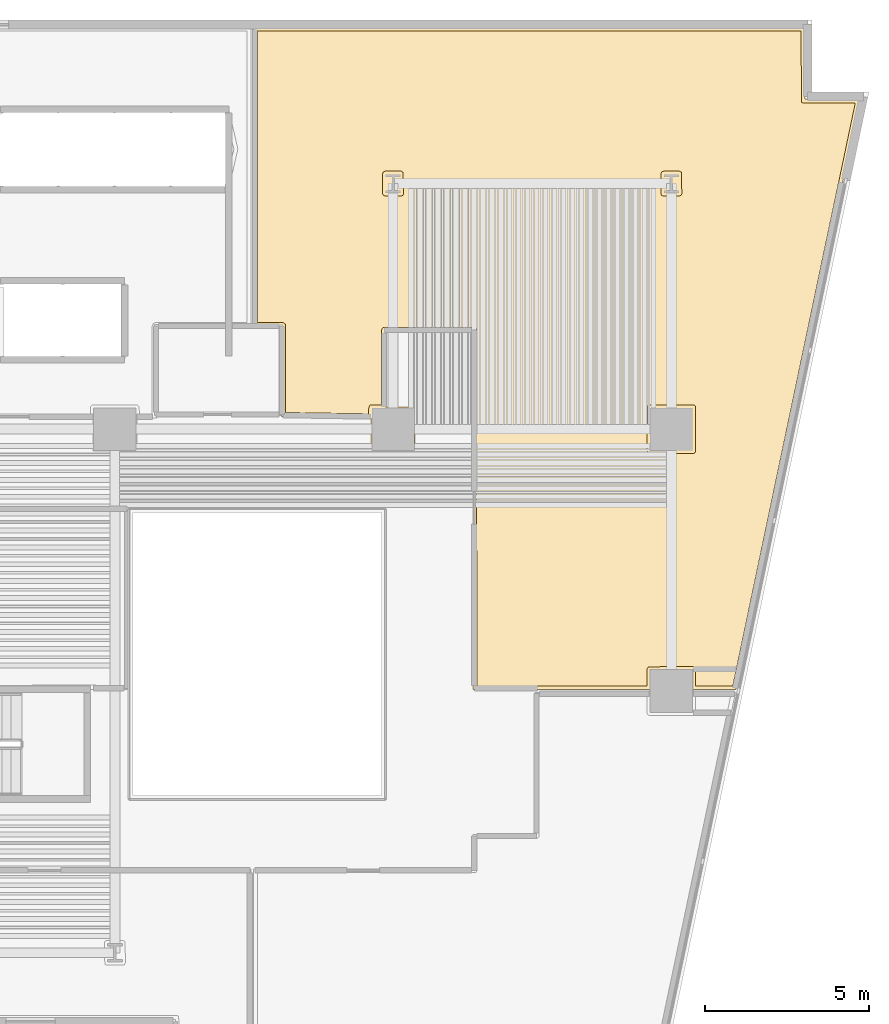
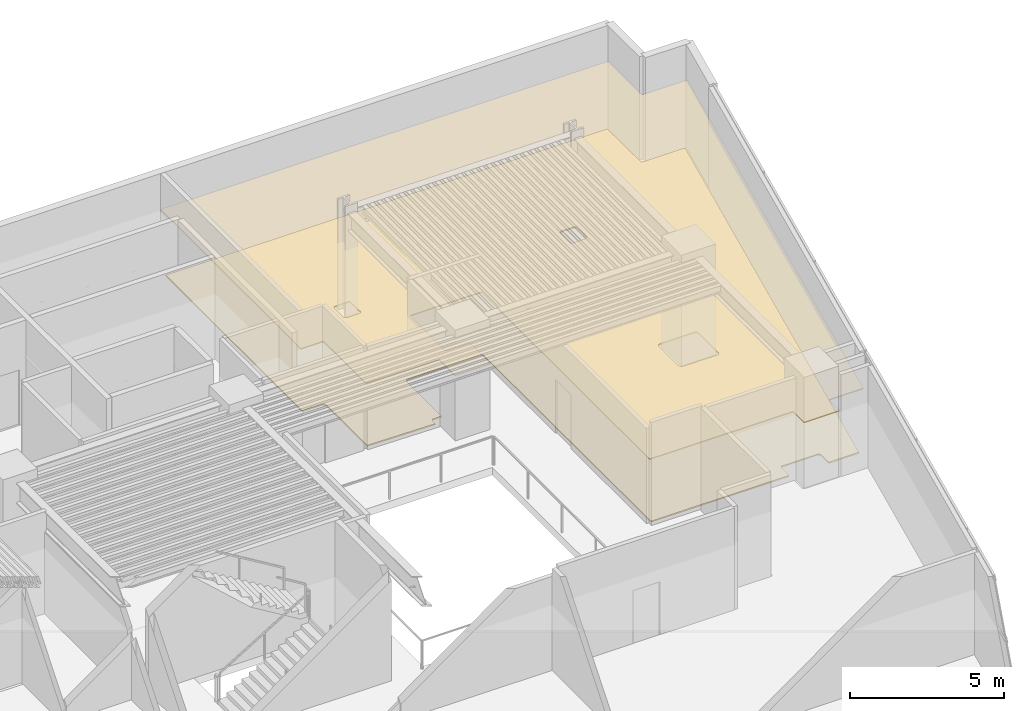
# One storey, part 11 of 11: 2 coverings.
"""IFC4 building model written with IfcOpenShell, lengths in metres."""

import ifcopenshell
import ifcopenshell.guid

model = None  # the IFC model being written
_history = None  # IfcOwnerHistory: only IFC2X3 demands one
_inside = {}  # id of a spatial element -> (the spatial element, [elements in it])
_under = {}  # id of a project, library or spatial element -> (it, [spatial elements below it])
_declared = {}  # id of a project -> (the project, [libraries it declares])
_typed = {}  # id of a type object -> (the type object, [elements of that type])
_made_of = {}  # id of a material, layer set ... -> (it, [elements and type objects made of it])


def new_model(schema):
    """Start an empty IFC model of exactly this schema.

    Asked for "IFC4X3", IfcOpenShell would pick the latest addendum, in which some entities
    have other attributes; the version numbers below select the first issue.
    IFC2X3 requires an IfcOwnerHistory on every rooted entity: one is made here for all.
    """
    global model, _history
    if schema == "IFC4X3":
        model = ifcopenshell.file(schema_version=(4, 3, 0, 0))
    else:
        model = ifcopenshell.file(schema=schema)
    _inside.clear()
    _under.clear()
    _declared.clear()
    _typed.clear()
    _made_of.clear()
    _history = None
    if model.schema == "IFC2X3":
        org = make("IfcOrganization", Name="unknown")
        user = make(
            "IfcPersonAndOrganization",
            ThePerson=make("IfcPerson", FamilyName="unknown"),
            TheOrganization=org,
        )
        app = make(
            "IfcApplication",
            ApplicationDeveloper=org,
            Version="unknown",
            ApplicationFullName="unknown",
            ApplicationIdentifier="unknown",
        )
        _history = make(
            "IfcOwnerHistory",
            OwningUser=user,
            OwningApplication=app,
            ChangeAction="ADDED",
            CreationDate=0,
        )
    return model


def make(cls, **values):
    """One entity of the class cls with the attributes given. An attribute that is None is left unset."""
    return model.create_entity(
        cls, **{name: value for name, value in values.items() if value is not None}
    )


def rooted(cls, **values):
    """An entity with a GlobalId (a new one), such as an element, a storey or a relation."""
    return make(cls, GlobalId=ifcopenshell.guid.new(), OwnerHistory=_history, **values)


def si_unit(unit_type, name, prefix=None):
    """IfcSIUnit, for example si_unit("LENGTHUNIT", "METRE", prefix="MILLI")."""
    return make("IfcSIUnit", UnitType=unit_type, Prefix=prefix, Name=name)


def assignment(units):
    """IfcUnitAssignment: the units of a project."""
    return None if units is None else make("IfcUnitAssignment", Units=units)


def point(xyz):
    """IfcCartesianPoint."""
    return None if xyz is None else make("IfcCartesianPoint", Coordinates=xyz)


def direction(xyz):
    """IfcDirection."""
    return None if xyz is None else make("IfcDirection", DirectionRatios=xyz)


def frame(location, z_axis=None, x_axis=None):
    """IfcAxis2Placement3D, a coordinate frame: its origin and axes. An axis left out is left unset."""
    return make(
        "IfcAxis2Placement3D",
        Location=point(location),
        Axis=direction(z_axis),
        RefDirection=direction(x_axis),
    )


def origin():
    """The frame at (0, 0, 0) with its axes left unset."""
    return frame((0.0, 0.0, 0.0))


def place(relative_to, where):
    """IfcLocalPlacement: puts the frame where relative to a parent placement (None: the world)."""
    return make(
        "IfcLocalPlacement", PlacementRelTo=relative_to, RelativePlacement=where
    )


def context(
    kind, dimensions, precision=None, world=None, true_north=None, identifier=None
):
    """IfcGeometricRepresentationContext, for example the 3D "Model" context."""
    return make(
        "IfcGeometricRepresentationContext",
        ContextIdentifier=identifier,
        ContextType=kind,
        CoordinateSpaceDimension=dimensions,
        Precision=precision,
        WorldCoordinateSystem=world,
        TrueNorth=true_north,
    )


def subcontext(parent, identifier, kind, view, scale=None):
    """IfcGeometricRepresentationSubContext, for example "Body" below "Model"."""
    return make(
        "IfcGeometricRepresentationSubContext",
        ContextIdentifier=identifier,
        ContextType=kind,
        ParentContext=parent,
        TargetScale=scale,
        TargetView=view,
    )


def project(units=None, contexts=None):
    """IfcProject with its units and contexts."""
    return rooted(
        "IfcProject",
        Name="project",
        RepresentationContexts=contexts,
        UnitsInContext=assignment(units),
    )


def spatial(cls, under=None, at=None, **own):
    """A site, building, storey or space (cls), placed at a placement, below another one or the project."""
    s = rooted(cls, ObjectPlacement=at, **own)
    if under is not None:
        _under.setdefault(under.id(), (under, []))[1].append(s)
    return s


def polyline(points):
    """IfcPolyline through the points."""
    return make("IfcPolyline", Points=[point(p) for p in points])


def outline(outer, holes=None, kind="AREA"):
    """IfcArbitraryClosedProfileDef: a profile drawn as a closed curve; with holes, ...WithVoids."""
    if holes is None:
        return make("IfcArbitraryClosedProfileDef", ProfileType=kind, OuterCurve=outer)
    return make(
        "IfcArbitraryProfileDefWithVoids",
        ProfileType=kind,
        OuterCurve=outer,
        InnerCurves=holes,
    )


def extrude(swept, where, along, depth):
    """IfcExtrudedAreaSolid: the profile swept, set in the frame where, extruded along a direction by depth."""
    return make(
        "IfcExtrudedAreaSolid",
        SweptArea=swept,
        Position=where,
        ExtrudedDirection=direction(along),
        Depth=depth,
    )


def shape(context_of_items, identifier, shape_type, items):
    """IfcShapeRepresentation: the items that make up one representation, for example the "Body"."""
    return make(
        "IfcShapeRepresentation",
        ContextOfItems=context_of_items,
        RepresentationIdentifier=identifier,
        RepresentationType=shape_type,
        Items=items,
    )


def material(Name=None, Category=None):
    """IfcMaterial."""
    return make("IfcMaterial", Name=Name, Category=Category)


def layer(
    of_material, thickness, ventilated=None, Name=None, Category=None, Priority=None
):
    """IfcMaterialLayer: one layer of a wall or slab, of a material (None: an air gap)."""
    return make(
        "IfcMaterialLayer",
        Material=of_material,
        LayerThickness=thickness,
        IsVentilated=ventilated,
        Name=Name,
        Category=Category,
        Priority=Priority,
    )


def layer_set(layers, Name=None):
    """IfcMaterialLayerSet."""
    return make("IfcMaterialLayerSet", MaterialLayers=layers, LayerSetName=Name)


def made_of(thing, what):
    """Note that an element or type object is made of a material, layer set ...; save() writes the relation."""
    if what is not None:
        _made_of.setdefault(what.id(), (what, []))[1].append(thing)
    return thing


def type_object(cls, material=None, **own):
    """A type object (cls), such as IfcWallType, which elements share."""
    return made_of(rooted(cls, **own), material)


def element(
    cls,
    number,
    at=None,
    inside=None,
    cuts=None,
    type_object=None,
    material=None,
    context=None,
    identifier="Body",
    shape_type=None,
    held_by="IfcProductDefinitionShape",
    body=None,
    shapes=None,
    **own,
):
    """One element of the class cls, such as IfcWall. Its Tag is "e" and its number.

    at: its placement. inside: the storey or other place that contains it. cuts: it is an
    opening in that element (IfcRelVoidsElement). A single representation is given by context,
    identifier, shape_type and body (its items); several are given by shapes. held_by: the class
    of the entity that holds the representations. save() writes the other relations.
    """
    e = rooted(cls, Tag="e%d" % number, ObjectPlacement=at, **own)
    if body is not None:
        shapes = [shape(context, identifier, shape_type, body)]
    if shapes is not None:
        e.Representation = make(held_by, Representations=shapes)
    if inside is not None:
        _inside.setdefault(inside.id(), (inside, []))[1].append(e)
    if cuts is not None:
        rooted(
            "IfcRelVoidsElement", RelatingBuildingElement=cuts, RelatedOpeningElement=e
        )
    if type_object is not None:
        _typed.setdefault(type_object.id(), (type_object, []))[1].append(e)
    return made_of(e, material)


def aggregate(whole, parts):
    """IfcRelAggregates: a whole, such as a stair, and the parts it consists of."""
    return rooted("IfcRelAggregates", RelatingObject=whole, RelatedObjects=parts)


def save(model, path):
    """Write the relations noted so far, then the file.

    IfcRelAggregates (storeys below a building ...), IfcRelContainedInSpatialStructure (elements
    in a storey), IfcRelDefinesByType, IfcRelAssociatesMaterial and IfcRelDeclares: one each for
    every whole, place, type object, material and project.
    """
    for whole, parts in _under.values():
        aggregate(whole, parts)
    for where, things in _inside.values():
        rooted(
            "IfcRelContainedInSpatialStructure",
            RelatedElements=things,
            RelatingStructure=where,
        )
    for kind, things in _typed.values():
        rooted("IfcRelDefinesByType", RelatedObjects=things, RelatingType=kind)
    for what, things in _made_of.values():
        rooted("IfcRelAssociatesMaterial", RelatedObjects=things, RelatingMaterial=what)
    for by, libraries in _declared.values():
        rooted("IfcRelDeclares", RelatingContext=by, RelatedDefinitions=libraries)
    model.write(path)


model = new_model("IFC4")

# Units and contexts
model_context = context("Model", 3, precision=1e-05, world=origin(), true_north=direction((0.0, 1.0)))
body_context = subcontext(model_context, "Body", "Model", "MODEL_VIEW")
ifc_project = project(units=[si_unit("LENGTHUNIT", "METRE"), si_unit("AREAUNIT", "SQUARE_METRE"), si_unit("VOLUMEUNIT", "CUBIC_METRE"), si_unit("PLANEANGLEUNIT", "RADIAN"), si_unit("MASSUNIT", "GRAM", prefix="KILO")], contexts=[model_context])

# Site, building, storey
site_placement = place(None, origin())
site = spatial("IfcSite", under=ifc_project, at=site_placement, CompositionType="ELEMENT")
building_placement = place(site_placement, origin())
building = spatial("IfcBuilding", under=site, at=building_placement, Name="Caeloran Harvest Quay", CompositionType="ELEMENT")
storey_placement = place(building_placement, frame((0.0, 0.0, 49.0)))
storey = spatial("IfcBuildingStorey", under=building, at=storey_placement, Name="L11", CompositionType="ELEMENT", Elevation=49.0)

# Coverings
ifc_material_1 = material(Name="Perforated Mineral-Fibre Acoustic Ceiling Tile", Category="ceiling")
ifc_layer_1 = layer(ifc_material_1, 0.0400390625, Name="Perforated Mineral-Fibre Acoustic Ceiling Tile")
ifc_layer_set_1 = layer_set([ifc_layer_1], Name="Perforated Mineral-Fibre Acoustic Ceiling Tile")
covering_type_1 = type_object("IfcCoveringType", Name="COV-CEILING-ACOUSTIC", PredefinedType="CEILING", material=ifc_layer_set_1)
covering_1_placement = place(storey_placement, frame((0.0, 0.0, 2.60009765625)))
element("IfcCovering", 1, at=covering_1_placement, inside=storey, type_object=covering_type_1, Name="Agronomy Break Kitchen Acoustic Ceiling", PredefinedType="CEILING", context=body_context, shape_type="SweptSolid", body=[
    extrude(outline(polyline([(50.330078125, 23.0400390625), (44.93994140625, 23.0400390625), (44.93994140625, 33.989990234375), (42.260009765625, 33.989990234375), (42.260009765625, 31.669921875), (43.169921875, 31.669921875), (43.169921875, 30.330078125), (41.830078125, 30.330078125), (41.830078125, 31.34619140625), (39.090087890625, 31.389404296875), (39.090087890625, 34.139892578125), (38.239990234375, 34.139892578125), (38.239990234375, 43.280029296875), (55.080078125, 43.280029296875), (55.080078125, 41.080078125), (56.766845703125, 41.080078125), (52.97705078125, 23.0400390625), (51.669921875, 23.0400390625), (51.669921875, 22.330078125), (50.330078125, 22.330078125), (50.330078125, 23.0400390625)])), origin(), (0.0, 0.0, 1.0), 0.039794921875),
])
ifc_material_2 = material(Name="Calcium-Sulphate Raised Access Floor and Terrazzo Finish", Category="flooring")
ifc_layer_2 = layer(ifc_material_2, 0.050048828125, Name="Calcium-Sulphate Raised Access Floor and Terrazzo Finish")
ifc_layer_set_2 = layer_set([ifc_layer_2], Name="Calcium-Sulphate Raised Access Floor and Terrazzo Finish")
covering_type_2 = type_object("IfcCoveringType", Name="COV-FLOOR-RAISED", PredefinedType="FLOORING", material=ifc_layer_set_2)
covering_2_placement = place(storey_placement, origin())
element("IfcCovering", 2, at=covering_2_placement, inside=storey, type_object=covering_type_2, Name="Agronomy Break Kitchen Raised Finish Flooring", PredefinedType="FLOORING", context=body_context, shape_type="SweptSolid", body=[
    extrude(outline(polyline([(38.360107421875, 34.260009765625), (38.360107421875, 43.159912109375), (54.9599609375, 43.159912109375), (54.978271484375, 40.9892578125), (55.0400390625, 40.9599609375), (56.618896484375, 40.9599609375), (52.879638671875, 23.159912109375), (51.7451171875, 23.159912109375), (51.74462890625, 23.6728515625), (51.7158203125, 23.726806640625), (51.6650390625, 23.7451171875), (50.304443359375, 23.739013671875), (50.25537109375, 23.6728515625), (50.2548828125, 23.159912109375), (45.06005859375, 23.159912109375), (45.04638671875, 34.074462890625), (44.97998046875, 34.110107421875), (42.189453125, 34.10400390625), (42.139892578125, 34.030029296875), (42.139892578125, 31.7451171875), (41.79052734375, 31.7314453125), (41.75537109375, 31.6728515625), (41.7548828125, 31.46728515625), (39.2099609375, 31.5078125), (39.20654296875, 34.203125), (39.1376953125, 34.259521484375), (38.360107421875, 34.260009765625)]), holes=[polyline([(51.7451171875, 31.6650390625), (51.7216796875, 31.7216796875), (51.6650390625, 31.7451171875), (50.3349609375, 31.7451171875), (50.2783203125, 31.7216796875), (50.2548828125, 31.6650390625), (50.2548828125, 30.3349609375), (50.2783203125, 30.2783203125), (50.3349609375, 30.2548828125), (51.6650390625, 30.2548828125), (51.7216796875, 30.2783203125), (51.7451171875, 30.3349609375), (51.7451171875, 31.6650390625)]), polyline([(51.322021484375, 38.200439453125), (51.3037109375, 38.850341796875), (51.249755859375, 38.879150390625), (50.758056640625, 38.87939453125), (50.701416015625, 38.856201171875), (50.677978515625, 38.799560546875), (50.677978515625, 38.200439453125), (50.701416015625, 38.143798828125), (50.758056640625, 38.12060546875), (51.241943359375, 38.12060546875), (51.298583984375, 38.143798828125), (51.322021484375, 38.200439453125)]), polyline([(42.822021484375, 38.200439453125), (42.8037109375, 38.850341796875), (42.749755859375, 38.879150390625), (42.258056640625, 38.87939453125), (42.201416015625, 38.856201171875), (42.177978515625, 38.799560546875), (42.177978515625, 38.200439453125), (42.201416015625, 38.143798828125), (42.258056640625, 38.12060546875), (42.741943359375, 38.12060546875), (42.798583984375, 38.143798828125), (42.822021484375, 38.200439453125)])]), origin(), (0.0, 0.0, 1.0), 0.050048828125),
])

save(model, "model.ifc")
